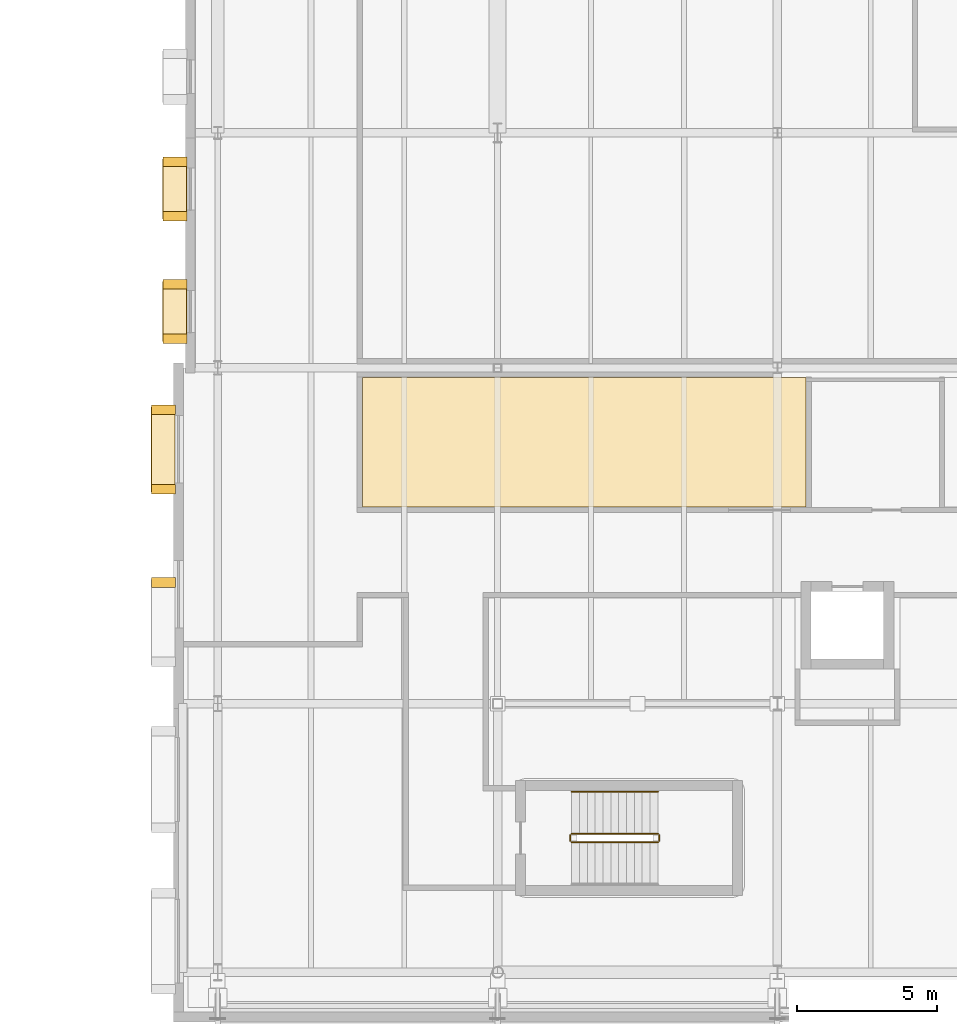
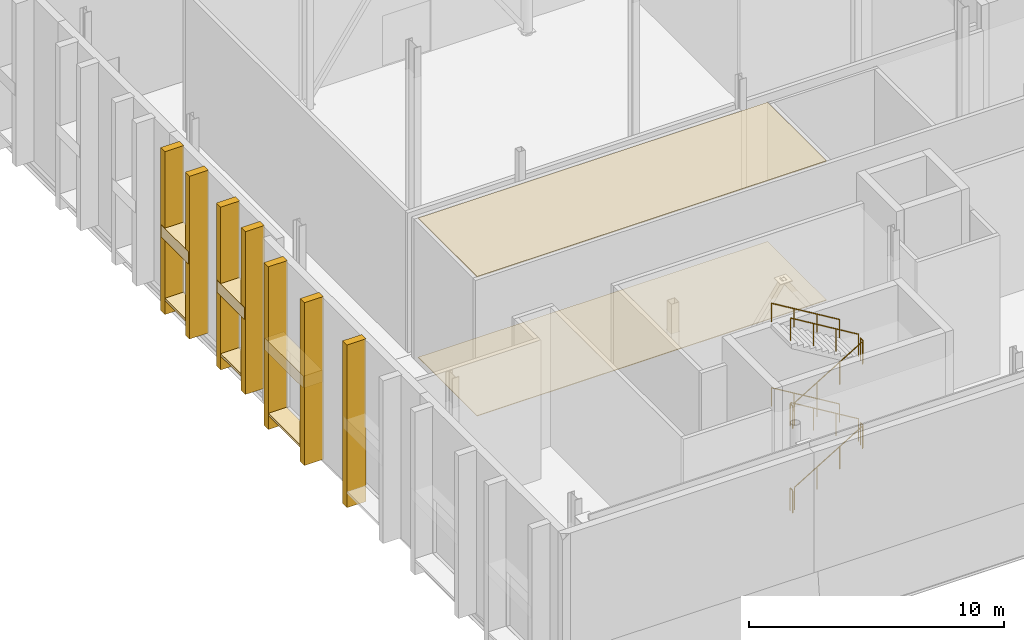
# One storey, part 75 of 79: 15 coverings, 10 railings.
"""IFC4 building model written with IfcOpenShell, lengths in metres."""

from ifc_helpers import new_model, si_unit, direction, frame, origin, origin_2d, place, context, subcontext, project, spatial, polyline, rectangle, circle, outline, extrude, material, layer, layer_set, type_object, element, save


model = new_model("IFC4")

# Units and contexts
model_context = context("Model", 3, precision=1e-05, world=origin(), true_north=direction((0.0, 1.0)))
body_context = subcontext(model_context, "Body", "Model", "MODEL_VIEW")
ifc_project = project(units=[si_unit("LENGTHUNIT", "METRE"), si_unit("AREAUNIT", "SQUARE_METRE"), si_unit("VOLUMEUNIT", "CUBIC_METRE"), si_unit("PLANEANGLEUNIT", "RADIAN"), si_unit("MASSUNIT", "GRAM", prefix="KILO")], contexts=[model_context])

# Site, building, storey
site_placement = place(None, origin())
site = spatial("IfcSite", under=ifc_project, at=site_placement, CompositionType="ELEMENT")
building_placement = place(site_placement, origin())
building = spatial("IfcBuilding", under=site, at=building_placement, Name="Zereglee Splitstone Museum", CompositionType="ELEMENT")
storey_placement = place(building_placement, frame((0.0, 0.0, 9.0)))
storey = spatial("IfcBuildingStorey", under=building, at=storey_placement, Name="L02", CompositionType="ELEMENT", Elevation=9.0)

# Coverings
ifc_material_1 = material(Name="Siberian larch acoustic timber ceiling", Category="wood")
ifc_layer_1 = layer(ifc_material_1, 0.06005859375)
ifc_layer_set_1 = layer_set([ifc_layer_1], Name="Siberian larch acoustic timber ceiling")
covering_type_1 = type_object("IfcCoveringType", Name="CLG-01", PredefinedType="CEILING", material=ifc_layer_set_1)
covering_1_placement = place(storey_placement, frame((0.0, 0.0, 6.639892578125)))
element("IfcCovering", 1, at=covering_1_placement, inside=storey, type_object=covering_type_1, Name="Acoustic Ceiling L02-042", PredefinedType="CEILING", context=body_context, shape_type="SweptSolid", body=[
    extrude(outline(polyline([(180.3798828125, 16.6298828125), (180.3798828125, 21.260009765625), (196.219970703125, 21.260009765625), (196.219970703125, 16.6298828125), (180.3798828125, 16.6298828125)])), origin(), (0.0, 0.0, 1.0), 0.06005859375),
])
ifc_material_2 = material(Name="Honed Gobi pale limestone stringcourse and soffit cladding", Category="masonry")
ifc_layer_2 = layer(ifc_material_2, 0.070068359375)
ifc_layer_set_2 = layer_set([ifc_layer_2], Name="Honed Gobi pale limestone stringcourse and soffit cladding")
covering_type_2 = type_object("IfcCoveringType", Name="CL-02", PredefinedType="CLADDING", material=ifc_layer_set_2)
for number, where, z_axis, x_axis, name in (
    (2, (173.2548828125, 20.110107421875, 0.0), (0.0, 0.0, 1.0), (0.0, -1.0, 0.0), "Mughal Window Reveal Stone Pilaster L02-0063L"),
    (3, (173.2548828125, 17.27001953125, 0.0), (0.0, 0.0, 1.0), (0.0, -1.0, 0.0), "Mughal Window Reveal Stone Pilaster L02-0063R"),
):
    element("IfcCovering", number, at=place(storey_placement, frame(where, z_axis=z_axis, x_axis=x_axis)), inside=storey, type_object=covering_type_2, Name=name, PredefinedType="CLADDING", context=body_context, shape_type="SweptSolid", body=[
        extrude(rectangle(XDim=0.340087890625, YDim=0.860107421875, at=origin_2d()), origin(), (0.0, 0.0, 1.0), 7.800048828125),
    ])
covering_2_placement = place(storey_placement, frame((173.2451171875, 18.68994140625, 0.659912109375), z_axis=(0.0, 0.0, 1.0), x_axis=(0.0, -1.0, 0.0)))
element("IfcCovering", 4, at=covering_2_placement, inside=storey, type_object=covering_type_2, Name="Carved Limestone Window Sill L02-0063", PredefinedType="CLADDING", context=body_context, shape_type="SweptSolid", body=[
    extrude(rectangle(XDim=3.0400390625, YDim=0.840087890625, at=origin_2d()), origin(), (0.0, 0.0, 1.0), 0.1201171875),
])
for number, where, z_axis, x_axis, name in (
    (5, (173.2548828125, 13.929931640625, 0.0), (0.0, 0.0, 1.0), (0.0, -1.0, 0.0), "Mughal Window Reveal Stone Pilaster L02-0064L"),
    (6, (173.675048828125, 28.9599609375, 0.0), (0.0, 0.0, 1.0), (0.0, -1.0, 0.0), "Mughal Window Reveal Stone Pilaster L02-0079L"),
    (7, (173.675048828125, 27.02001953125, 0.0), (0.0, 0.0, 1.0), (0.0, -1.0, 0.0), "Mughal Window Reveal Stone Pilaster L02-0079R"),
):
    element("IfcCovering", number, at=place(storey_placement, frame(where, z_axis=z_axis, x_axis=x_axis)), inside=storey, type_object=covering_type_2, Name=name, PredefinedType="CLADDING", context=body_context, shape_type="SweptSolid", body=[
        extrude(rectangle(XDim=0.340087890625, YDim=0.860107421875, at=origin_2d()), origin(), (0.0, 0.0, 1.0), 7.800048828125),
    ])
covering_3_placement = place(storey_placement, frame((173.6650390625, 27.989990234375, 0.659912109375), z_axis=(0.0, 0.0, 1.0), x_axis=(0.0, -1.0, 0.0)))
element("IfcCovering", 8, at=covering_3_placement, inside=storey, type_object=covering_type_2, Name="Carved Limestone Window Sill L02-0079", PredefinedType="CLADDING", context=body_context, shape_type="SweptSolid", body=[
    extrude(rectangle(XDim=2.139892578125, YDim=0.840087890625, at=origin_2d()), origin(), (0.0, 0.0, 1.0), 0.1201171875),
])
for number, where, z_axis, x_axis, name in (
    (9, (173.675048828125, 24.580078125, 0.0), (0.0, 0.0, 1.0), (0.0, -1.0, 0.0), "Mughal Window Reveal Stone Pilaster L02-0080L"),
    (10, (173.675048828125, 22.639892578125, 0.0), (0.0, 0.0, 1.0), (0.0, -1.0, 0.0), "Mughal Window Reveal Stone Pilaster L02-0080R"),
):
    element("IfcCovering", number, at=place(storey_placement, frame(where, z_axis=z_axis, x_axis=x_axis)), inside=storey, type_object=covering_type_2, Name=name, PredefinedType="CLADDING", context=body_context, shape_type="SweptSolid", body=[
        extrude(rectangle(XDim=0.340087890625, YDim=0.860107421875, at=origin_2d()), origin(), (0.0, 0.0, 1.0), 7.800048828125),
    ])
covering_4_placement = place(storey_placement, frame((173.6650390625, 23.610107421875, 0.659912109375), z_axis=(0.0, 0.0, 1.0), x_axis=(0.0, -1.0, 0.0)))
element("IfcCovering", 11, at=covering_4_placement, inside=storey, type_object=covering_type_2, Name="Carved Limestone Window Sill L02-0080", PredefinedType="CLADDING", context=body_context, shape_type="SweptSolid", body=[
    extrude(rectangle(XDim=2.139892578125, YDim=0.840087890625, at=origin_2d()), origin(), (0.0, 0.0, 1.0), 0.1201171875),
])
ifc_material_3 = material(Name="Honed Khoroo red sandstone ventilated rainscreen", Category="masonry")
ifc_layer_3 = layer(ifc_material_3, 0.080078125)
ifc_layer_set_3 = layer_set([ifc_layer_3], Name="Honed Khoroo red sandstone ventilated rainscreen")
covering_type_3 = type_object("IfcCoveringType", Name="CL-01", PredefinedType="CLADDING", material=ifc_layer_set_3)
covering_5_placement = place(storey_placement, frame((173.2451171875, 18.68994140625, 3.659912109375), z_axis=(0.0, 0.0, 1.0), x_axis=(0.0, -1.0, 0.0)))
element("IfcCovering", 12, at=covering_5_placement, inside=storey, type_object=covering_type_3, Name="Pointed-Arch Mughal Window Hood L02-0063", PredefinedType="CLADDING", context=body_context, shape_type="SweptSolid", body=[
    extrude(rectangle(XDim=3.0400390625, YDim=0.860107421875, at=origin_2d()), origin(), (0.0, 0.0, 1.0), 0.580078125),
])
for number, where, z_axis, x_axis, name in (
    (13, (173.6650390625, 27.989990234375, 3.56005859375), (0.0, 0.0, 1.0), (0.0, -1.0, 0.0), "Pointed-Arch Mughal Window Hood L02-0079"),
    (14, (173.6650390625, 23.610107421875, 3.56005859375), (0.0, 0.0, 1.0), (0.0, -1.0, 0.0), "Pointed-Arch Mughal Window Hood L02-0080"),
):
    element("IfcCovering", number, at=place(storey_placement, frame(where, z_axis=z_axis, x_axis=x_axis)), inside=storey, type_object=covering_type_3, Name=name, PredefinedType="CLADDING", context=body_context, shape_type="SweptSolid", body=[
        extrude(rectangle(XDim=2.139892578125, YDim=0.860107421875, at=origin_2d()), origin(), (0.0, 0.0, 1.0), 0.580078125),
    ])
ifc_material_4 = material(Name="Honed Gobi granite terrazzo flooring", Category="masonry")
ifc_layer_4 = layer(ifc_material_4, 0.030029296875)
ifc_layer_set_4 = layer_set([ifc_layer_4], Name="Honed Gobi granite terrazzo flooring")
covering_type_4 = type_object("IfcCoveringType", Name="FLR-01", PredefinedType="FLOORING", material=ifc_layer_set_4)
covering_6_placement = place(storey_placement, origin())
element("IfcCovering", 15, at=covering_6_placement, inside=storey, type_object=covering_type_4, Name="Terrazzo Gallery Flooring L02-028", PredefinedType="FLOORING", context=body_context, shape_type="SweptSolid", body=[
    extrude(outline(polyline([(180.3798828125, 16.6298828125), (180.3798828125, 21.260009765625), (196.219970703125, 21.260009765625), (196.219970703125, 16.6298828125), (180.3798828125, 16.6298828125)])), origin(), (0.0, 0.0, 1.0), 0.030029296875),
])

# Railings
ifc_material_5 = material(Name="Painted steel S355J2 post-and-baluster guard", Category="steel")
railing_type_1 = type_object("IfcRailingType", Name="GR-03", PredefinedType="BALUSTRADE", material=ifc_material_5)
railing_1_placement = place(storey_placement, frame((187.85009765625, 4.64990234375, 0.168701171875)))
element("IfcRailing", 16, at=railing_1_placement, inside=storey, type_object=railing_type_1, Name="L02 ST-04 stair guard 1", PredefinedType="BALUSTRADE", context=body_context, shape_type="SweptSolid", body=[
    extrude(circle(Radius=0.02392578125, at=origin_2d()), frame((0.0, 0.0, 1.076416015625), z_axis=(0.8564728477, 0.0, 0.51619207777), x_axis=(0.0, 1.0, 0.0)), (0.0, 0.0, 1.0), 3.595947265625),
    extrude(circle(Radius=0.02099609375, at=origin_2d()), origin(), (0.0, 0.0, 1.0), 1.052001953125),
    extrude(circle(Radius=0.02099609375, at=origin_2d()), frame((1.026611328125, 0.0, 0.61865234375)), (0.0, 0.0, 1.0), 1.052001953125),
    extrude(circle(Radius=0.02099609375, at=origin_2d()), frame((2.05322265625, 0.0, 1.237548828125)), (0.0, 0.0, 1.0), 1.052001953125),
    extrude(circle(Radius=0.02099609375, at=origin_2d()), frame((3.079833984375, 0.0, 1.856201171875)), (0.0, 0.0, 1.0), 1.052001953125),
])
railing_2_placement = place(storey_placement, frame((190.97998046875, 4.699951171875, 2.02490234375)))
element("IfcRailing", 17, at=railing_2_placement, inside=storey, type_object=railing_type_1, Name="L02 ST-04 stair guard 2", PredefinedType="BALUSTRADE", context=body_context, shape_type="SweptSolid", body=[
    extrude(circle(Radius=0.02392578125, at=origin_2d()), frame((0.0, 0.0, 1.076416015625), z_axis=(0.0, 1.0, 0.0), x_axis=(-1.0, 0.0, 0.0)), (0.0, 0.0, 1.0), 0.199951171875),
    extrude(circle(Radius=0.02099609375, at=origin_2d()), origin(), (0.0, 0.0, 1.0), 1.052001953125),
    extrude(circle(Radius=0.02099609375, at=origin_2d()), frame((0.0, 0.199951171875, 0.0)), (0.0, 0.0, 1.0), 1.052001953125),
])
railing_3_placement = place(storey_placement, frame((190.929931640625, 4.949951171875, 2.19384765625)))
element("IfcRailing", 18, at=railing_3_placement, inside=storey, type_object=railing_type_1, Name="L02 ST-04 stair guard 3", PredefinedType="BALUSTRADE", context=body_context, shape_type="SweptSolid", body=[
    extrude(circle(Radius=0.02392578125, at=origin_2d()), frame((0.0, 0.0, 1.076416015625), z_axis=(-0.8564728477, 0.0, 0.51619207777), x_axis=(0.0, -1.0, 0.0)), (0.0, 0.0, 1.0), 3.595947265625),
    extrude(circle(Radius=0.02099609375, at=origin_2d()), origin(), (0.0, 0.0, 1.0), 1.052001953125),
    extrude(circle(Radius=0.02099609375, at=origin_2d()), frame((-1.026611328125, 0.0, 0.61865234375)), (0.0, 0.0, 1.0), 1.052001953125),
    extrude(circle(Radius=0.02099609375, at=origin_2d()), frame((-2.05322265625, 0.0, 1.237548828125)), (0.0, 0.0, 1.0), 1.052001953125),
    extrude(circle(Radius=0.02099609375, at=origin_2d()), frame((-3.079833984375, 0.0, 1.856201171875)), (0.0, 0.0, 1.0), 1.052001953125),
])
railing_4_placement = place(storey_placement, frame((187.800048828125, 4.699951171875, 4.050048828125)))
element("IfcRailing", 19, at=railing_4_placement, inside=storey, type_object=railing_type_1, Name="L02 ST-04 stair guard 4", PredefinedType="BALUSTRADE", context=body_context, shape_type="SweptSolid", body=[
    extrude(circle(Radius=0.02392578125, at=origin_2d()), frame((0.0, 0.0, 1.076416015625), z_axis=(0.0, 1.0, 0.0), x_axis=(-1.0, 0.0, 0.0)), (0.0, 0.0, 1.0), 0.199951171875),
    extrude(circle(Radius=0.02099609375, at=origin_2d()), origin(), (0.0, 0.0, 1.0), 1.052001953125),
    extrude(circle(Radius=0.02099609375, at=origin_2d()), frame((0.0, 0.199951171875, 0.0)), (0.0, 0.0, 1.0), 1.052001953125),
])
railing_5_placement = place(storey_placement, frame((187.85009765625, 4.64990234375, 4.21875)))
element("IfcRailing", 20, at=railing_5_placement, inside=storey, type_object=railing_type_1, Name="L02 ST-04 stair guard 5", PredefinedType="BALUSTRADE", context=body_context, shape_type="SweptSolid", body=[
    extrude(circle(Radius=0.02392578125, at=origin_2d()), frame((0.0, 0.0, 1.076416015625), z_axis=(0.8564728477, 0.0, 0.51619207777), x_axis=(0.0, 1.0, 0.0)), (0.0, 0.0, 1.0), 3.595947265625),
    extrude(circle(Radius=0.02099609375, at=origin_2d()), origin(), (0.0, 0.0, 1.0), 1.052001953125),
    extrude(circle(Radius=0.02099609375, at=origin_2d()), frame((1.026611328125, 0.0, 0.61865234375)), (0.0, 0.0, 1.0), 1.052001953125),
    extrude(circle(Radius=0.02099609375, at=origin_2d()), frame((2.05322265625, 0.0, 1.237548828125)), (0.0, 0.0, 1.0), 1.052001953125),
    extrude(circle(Radius=0.02099609375, at=origin_2d()), frame((3.079833984375, 0.0, 1.856201171875)), (0.0, 0.0, 1.0), 1.052001953125),
])
railing_6_placement = place(storey_placement, frame((190.97998046875, 4.699951171875, 6.074951171875)))
element("IfcRailing", 21, at=railing_6_placement, inside=storey, type_object=railing_type_1, Name="L02 ST-04 stair guard 6", PredefinedType="BALUSTRADE", context=body_context, shape_type="SweptSolid", body=[
    extrude(circle(Radius=0.02392578125, at=origin_2d()), frame((0.0, 0.0, 1.076416015625), z_axis=(0.0, 1.0, 0.0), x_axis=(-1.0, 0.0, 0.0)), (0.0, 0.0, 1.0), 0.199951171875),
    extrude(circle(Radius=0.02099609375, at=origin_2d()), origin(), (0.0, 0.0, 1.0), 1.052001953125),
    extrude(circle(Radius=0.02099609375, at=origin_2d()), frame((0.0, 0.199951171875, 0.0)), (0.0, 0.0, 1.0), 1.052001953125),
])
railing_7_placement = place(storey_placement, frame((190.929931640625, 4.949951171875, 6.24365234375)))
element("IfcRailing", 22, at=railing_7_placement, inside=storey, type_object=railing_type_1, Name="L02 ST-04 stair guard 7", PredefinedType="BALUSTRADE", context=body_context, shape_type="SweptSolid", body=[
    extrude(circle(Radius=0.02392578125, at=origin_2d()), frame((0.0, 0.0, 1.076416015625), z_axis=(-0.856442831411, 0.0, 0.516241877927), x_axis=(0.0, -1.0, 0.0)), (0.0, 0.0, 1.0), 3.59619140625),
    extrude(circle(Radius=0.02099609375, at=origin_2d()), origin(), (0.0, 0.0, 1.0), 1.052001953125),
    extrude(circle(Radius=0.02099609375, at=origin_2d()), frame((-1.026611328125, 0.0, 0.618896484375)), (0.0, 0.0, 1.0), 1.052001953125),
    extrude(circle(Radius=0.02099609375, at=origin_2d()), frame((-2.05322265625, 0.0, 1.237548828125)), (0.0, 0.0, 1.0), 1.052001953125),
    extrude(circle(Radius=0.02099609375, at=origin_2d()), frame((-3.079833984375, 0.0, 1.8564453125)), (0.0, 0.0, 1.0), 1.052001953125),
])
railing_8_placement = place(storey_placement, frame((187.800048828125, 4.699951171875, 0.0)))
element("IfcRailing", 23, at=railing_8_placement, inside=storey, type_object=railing_type_1, Name="L02 ST-04 stair guard 8", PredefinedType="BALUSTRADE", context=body_context, shape_type="SweptSolid", body=[
    extrude(circle(Radius=0.02392578125, at=origin_2d()), frame((0.0, 0.0, 1.076416015625), z_axis=(0.0, 1.0, 0.0), x_axis=(-1.0, 0.0, 0.0)), (0.0, 0.0, 1.0), 0.199951171875),
    extrude(circle(Radius=0.02099609375, at=origin_2d()), origin(), (0.0, 0.0, 1.0), 1.052001953125),
    extrude(circle(Radius=0.02099609375, at=origin_2d()), frame((0.0, 0.199951171875, 0.0)), (0.0, 0.0, 1.0), 1.052001953125),
])
ifc_material_6 = material(Name="Architectural bronze tubular handrail", Category="steel")
railing_type_2 = type_object("IfcRailingType", Name="HR-01", PredefinedType="HANDRAIL", material=ifc_material_6)
railing_9_placement = place(storey_placement, frame((190.929931640625, 6.449951171875, 2.19384765625)))
element("IfcRailing", 24, at=railing_9_placement, inside=storey, type_object=railing_type_2, Name="L02 ST-04 stair handrail 2", PredefinedType="HANDRAIL", context=body_context, shape_type="SweptSolid", body=[
    extrude(circle(Radius=0.02392578125, at=origin_2d()), frame((0.0, 0.0, 0.8759765625), z_axis=(-0.8564728477, 0.0, 0.51619207777), x_axis=(0.0, -1.0, 0.0)), (0.0, 0.0, 1.0), 3.595947265625),
    extrude(circle(Radius=0.02099609375, at=origin_2d()), origin(), (0.0, 0.0, 1.0), 0.851806640625),
    extrude(circle(Radius=0.02099609375, at=origin_2d()), frame((-1.026611328125, 0.0, 0.61865234375)), (0.0, 0.0, 1.0), 0.851806640625),
    extrude(circle(Radius=0.02099609375, at=origin_2d()), frame((-2.05322265625, 0.0, 1.237548828125)), (0.0, 0.0, 1.0), 0.851806640625),
    extrude(circle(Radius=0.02099609375, at=origin_2d()), frame((-3.079833984375, 0.0, 1.856201171875)), (0.0, 0.0, 1.0), 0.851806640625),
])
railing_10_placement = place(storey_placement, frame((190.929931640625, 6.449951171875, 6.24365234375)))
element("IfcRailing", 25, at=railing_10_placement, inside=storey, type_object=railing_type_2, Name="L02 ST-04 stair handrail 4", PredefinedType="HANDRAIL", context=body_context, shape_type="SweptSolid", body=[
    extrude(circle(Radius=0.02392578125, at=origin_2d()), frame((0.0, 0.0, 0.8759765625), z_axis=(-0.856442831411, 0.0, 0.516241877927), x_axis=(0.0, -1.0, 0.0)), (0.0, 0.0, 1.0), 3.59619140625),
    extrude(circle(Radius=0.02099609375, at=origin_2d()), origin(), (0.0, 0.0, 1.0), 0.851806640625),
    extrude(circle(Radius=0.02099609375, at=origin_2d()), frame((-1.026611328125, 0.0, 0.618896484375)), (0.0, 0.0, 1.0), 0.851806640625),
    extrude(circle(Radius=0.02099609375, at=origin_2d()), frame((-2.05322265625, 0.0, 1.237548828125)), (0.0, 0.0, 1.0), 0.851806640625),
    extrude(circle(Radius=0.02099609375, at=origin_2d()), frame((-3.079833984375, 0.0, 1.8564453125)), (0.0, 0.0, 1.0), 0.851806640625),
])

save(model, "model.ifc")
